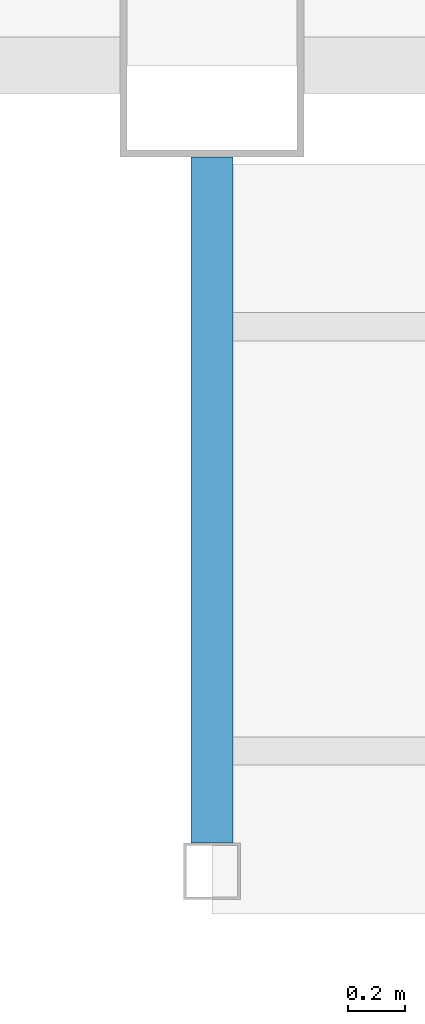
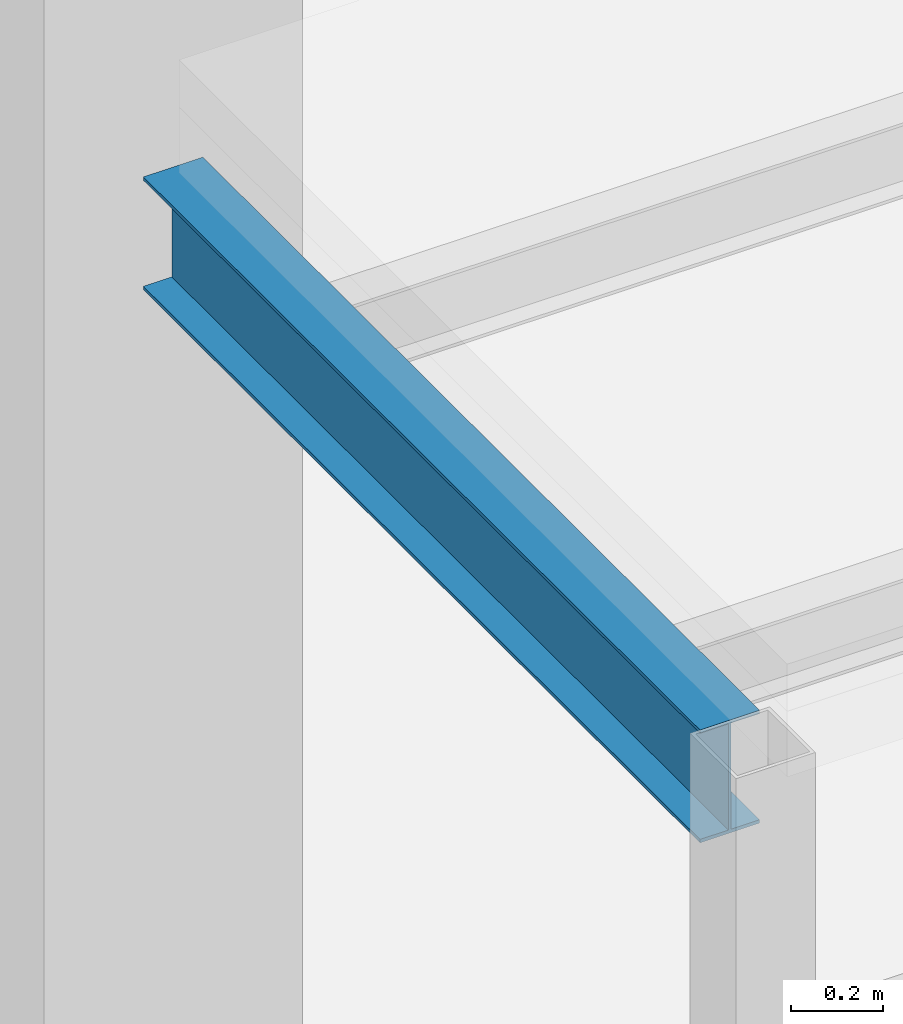
# One storey, part 18 of 112: 1 beam.
"""IFC4 building model written with IfcOpenShell, lengths in metres."""

from ifc_helpers import new_model, si_unit, direction, frame, origin, origin_2d, place, context, subcontext, project, spatial, i_section, extrude, material, material_profile, profile_set, type_object, element, save


model = new_model("IFC4")

# Units and contexts
model_context = context("Model", 3, precision=1e-05, world=origin(), true_north=direction((0.0, 1.0)))
body_context = subcontext(model_context, "Body", "Model", "MODEL_VIEW")
ifc_project = project(units=[si_unit("LENGTHUNIT", "METRE"), si_unit("AREAUNIT", "SQUARE_METRE"), si_unit("VOLUMEUNIT", "CUBIC_METRE"), si_unit("PLANEANGLEUNIT", "RADIAN"), si_unit("MASSUNIT", "GRAM", prefix="KILO")], contexts=[model_context])

# Site, building, storey
site_placement = place(None, origin())
site = spatial("IfcSite", under=ifc_project, at=site_placement, CompositionType="ELEMENT")
building_placement = place(site_placement, origin())
building = spatial("IfcBuilding", under=site, at=building_placement, Name="Kazanami Central Library", CompositionType="ELEMENT")
storey_placement = place(building_placement, origin())
storey = spatial("IfcBuildingStorey", under=building, at=storey_placement, Name="L01", CompositionType="ELEMENT", Elevation=0.0)

# Beam
ifc_material = material(Name="Steel SN490B (325 MPa)", Category="steel")
ifc_material_profile = material_profile(ifc_material, i_section(OverallWidth=0.14990234375, OverallDepth=0.300048828125, WebThickness=0.006591796875, FlangeThickness=0.009033203125, at=origin_2d()), Name="H-300x150x6.5x9")
ifc_profile_set = profile_set([ifc_material_profile], Name="Steel SN490B (325 MPa)")
beam_type = type_object("IfcBeamType", Name="BM-CAN-300", PredefinedType="SPANDREL", material=ifc_profile_set)
beam_placement = place(storey_placement, frame((63.0, 14.074951171875, 2.89990234375), z_axis=(0.0, -1.0, 0.0), x_axis=(1.0, 0.0, 0.0)))
element("IfcBeam", 1, at=beam_placement, inside=storey, type_object=beam_type, Name="Canopy Beam CAN-V1-SOUTH X=63", PredefinedType="SPANDREL", context=body_context, shape_type="SweptSolid", body=[
    extrude(i_section(OverallWidth=0.14990234375, OverallDepth=0.300048828125, WebThickness=0.006591796875, FlangeThickness=0.009033203125, at=origin_2d()), origin(), (0.0, 0.0, 1.0), 2.425048828125),
])

save(model, "model.ifc")
